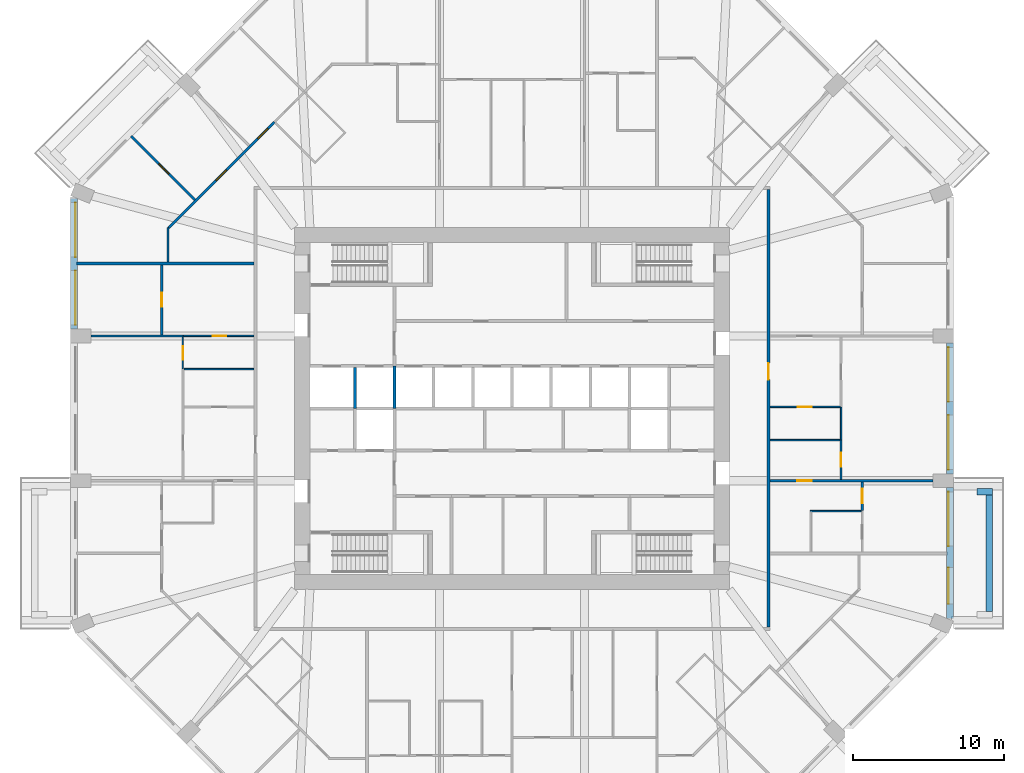
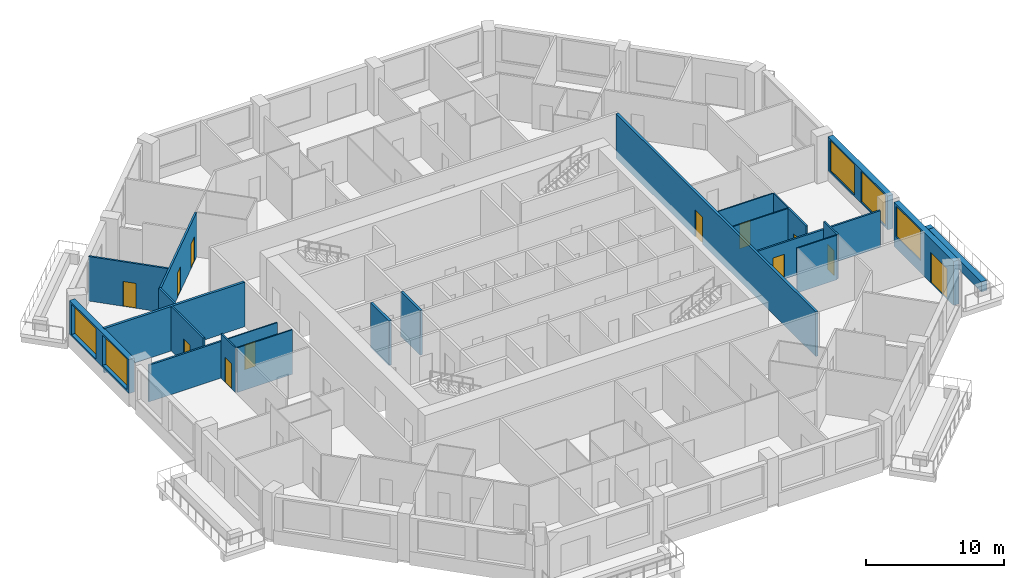
# One storey, part 7 of 13: 24 walls, 12 doors, 5 windows, 17 openings.
"""IFC4 building model written with IfcOpenShell, lengths in metres."""

from ifc_helpers import new_model, si_unit, direction, frame, frame_2d, origin, place, context, subcontext, project, spatial, rectangle, extrude, material, layer, layer_set, type_object, element, fill, save


model = new_model("IFC4")

# Units and contexts
model_context = context("Model", 3, precision=1e-05, world=origin(), true_north=direction((0.0, 1.0)))
body_context = subcontext(model_context, "Body", "Model", "MODEL_VIEW")
ifc_project = project(units=[si_unit("LENGTHUNIT", "METRE"), si_unit("AREAUNIT", "SQUARE_METRE"), si_unit("VOLUMEUNIT", "CUBIC_METRE"), si_unit("PLANEANGLEUNIT", "RADIAN"), si_unit("MASSUNIT", "GRAM", prefix="KILO")], contexts=[model_context])

# Site, building, storey
site_placement = place(None, origin())
site = spatial("IfcSite", under=ifc_project, at=site_placement, CompositionType="ELEMENT")
building_placement = place(site_placement, origin())
building = spatial("IfcBuilding", under=site, at=building_placement, Name="Msitu Wima Residences", CompositionType="ELEMENT")
storey_placement = place(building_placement, frame((0.0, 0.0, 50.699951171875)))
storey = spatial("IfcBuildingStorey", under=building, at=storey_placement, Name="L11", CompositionType="ELEMENT", Elevation=50.699951171875)

# Walls
ifc_material_1 = material(Name="Facing brick")
ifc_layer_1 = layer(ifc_material_1, 0.06494140625, Name="Facing brick")
ifc_material_2 = material(Name="Concrete C40/50", Category="concrete")
ifc_layer_2 = layer(ifc_material_2, 0.156005859375, Name="Concrete C40/50")
ifc_material_3 = material(Name="Waterproofing membrane")
ifc_layer_3 = layer(ifc_material_3, 0.00390625, Name="Waterproofing membrane")
ifc_material_4 = material(Name="Planting soil and planting")
ifc_layer_4 = layer(ifc_material_4, 0.22509765625, Name="Planting soil and planting")
ifc_layer_set_1 = layer_set([ifc_layer_1, ifc_layer_2, ifc_layer_3, ifc_layer_4], Name="Concrete C40/50")
wall_type_1 = type_object("IfcWallType", Name="Balcony planter PLANTER PL450", PredefinedType="USERDEFINED", material=ifc_layer_set_1)
wall_1_placement = place(storey_placement, frame((31.625, -13.449951171875, 0.0), z_axis=(0.0, 0.0, 1.0), x_axis=(0.0, 1.0, 0.0)))
element("IfcWall", 1, at=wall_1_placement, inside=storey, type_object=wall_type_1, Name="Balcony planter E0 L11", ObjectType="PLANTER", PredefinedType="USERDEFINED", context=body_context, shape_type="SweptSolid", body=[
    extrude(rectangle(XDim=7.699951171875, YDim=0.449951171875, at=frame_2d((3.85009765625, 0.0))), origin(), (0.0, 0.0, 1.0), 0.900146484375),
])
wall_2_placement = place(storey_placement, frame((30.800048828125, -5.52490234375, 0.0), z_axis=(0.0, 0.0, 1.0), x_axis=(1.0, 0.0, 0.0)))
element("IfcWall", 2, at=wall_2_placement, inside=storey, type_object=wall_type_1, Name="Balcony planter E0 L11", ObjectType="PLANTER", PredefinedType="USERDEFINED", context=body_context, shape_type="SweptSolid", body=[
    extrude(rectangle(XDim=1.050048828125, YDim=0.449951171875, at=frame_2d((0.52490234375, 0.0))), origin(), (0.0, 0.0, 1.0), 0.900146484375),
])

# Wall, openings, door, window
ifc_material_5 = material(Name="Brick (red buff mix)", Category="masonry")
ifc_layer_5 = layer(ifc_material_5, 0.449951171875)
ifc_layer_set_2 = layer_set([ifc_layer_5], Name="Brick (red buff mix)")
wall_type_2 = type_object("IfcWallType", Name="Brick infill wall BW450", PredefinedType="SOLIDWALL", material=ifc_layer_set_2)
wall_3_placement = place(storey_placement, frame((29.02490234375, -13.912841796875, 0.0), z_axis=(0.0, 0.0, 1.0), x_axis=(0.0, 1.0, 0.0)))
wall_3 = element("IfcWall", 3, at=wall_3_placement, inside=storey, type_object=wall_type_2, Name="Brick infill wall L11 E0", PredefinedType="SOLIDWALL", context=body_context, shape_type="SweptSolid", body=[
    extrude(rectangle(XDim=8.662841796875, YDim=0.449951171875, at=frame_2d((4.33154296875, 0.0))), origin(), (0.0, 0.0, 1.0), 3.900146484375),
])
opening_1_placement = place(wall_3_placement, frame((0.9658203125, 0.0, 0.0)))
opening_1 = element("IfcOpeningElement", 4, at=opening_1_placement, cuts=wall_3, Name="Opening D11-12.001", PredefinedType="OPENING", context=body_context, shape_type="SweptSolid", body=[
    extrude(rectangle(XDim=2.39990234375, YDim=2.699951171875, at=frame_2d((1.199951171875, 1.35009765625))), frame((0.0, 0.23486328125, 0.0), z_axis=(0.0, -1.0, 0.0), x_axis=(1.0, 0.0, 0.0)), (0.0, 0.0, 1.0), 0.469970703125),
])
opening_2_placement = place(wall_3_placement, frame((4.781494140625, 0.0, 1.050048828125)))
opening_2 = element("IfcOpeningElement", 5, at=opening_2_placement, cuts=wall_3, Name="Opening W11-12.001", PredefinedType="OPENING", context=body_context, shape_type="SweptSolid", body=[
    extrude(rectangle(XDim=3.60009765625, YDim=2.699951171875, at=frame_2d((1.800048828125, 1.35009765625))), frame((0.0, 0.23486328125, 0.0), z_axis=(0.0, -1.0, 0.0), x_axis=(1.0, 0.0, 0.0)), (0.0, 0.0, 1.0), 0.469970703125),
])
ifc_material_6 = material(Name="Anodised aluminium, bronze finish, clear low-emissivity double glazing", Category="aluminium")
door_type_1 = type_object("IfcDoorType", Name="Balcony door D2400x2700", OperationType="SLIDING_TO_LEFT", PredefinedType="DOOR", material=ifc_material_6)
door_1_placement = place(opening_1_placement, origin())
door_1 = element("IfcDoor", 6, at=door_1_placement, inside=storey, type_object=door_type_1, Name="Balcony door L11 E0", OperationType="SINGLE_SWING_LEFT", OverallHeight=2.699951171875, OverallWidth=2.39990234375, PredefinedType="DOOR", context=body_context, shape_type="SweptSolid", body=[
    extrude(rectangle(XDim=2.39990234375, YDim=2.699951171875, at=frame_2d((1.199951171875, 1.35009765625))), frame((0.0, 0.1298828125, 0.0), z_axis=(0.0, -1.0, 0.0), x_axis=(1.0, 0.0, 0.0)), (0.0, 0.0, 1.0), 0.050048828125),
])
fill(opening_1, door_1)
window_type = type_object("IfcWindowType", Name="Window W3600x2700", PartitioningType="DOUBLE_PANEL_VERTICAL", PredefinedType="WINDOW", material=ifc_material_6)
window_1_placement = place(opening_2_placement, origin())
window_1 = element("IfcWindow", 7, at=window_1_placement, inside=storey, type_object=window_type, Name="Window L11 E0.2", OverallHeight=2.699951171875, OverallWidth=3.60009765625, PartitioningType="SINGLE_PANEL", PredefinedType="WINDOW", context=body_context, shape_type="SweptSolid", body=[
    extrude(rectangle(XDim=3.60009765625, YDim=2.699951171875, at=frame_2d((1.800048828125, 1.35009765625))), frame((0.0, 0.135009765625, 0.0), z_axis=(0.0, -1.0, 0.0), x_axis=(1.0, 0.0, 0.0)), (0.0, 0.0, 1.0), 0.06005859375),
])
fill(opening_2, window_1)

# Wall, openings, windows
wall_4_placement = place(storey_placement, frame((29.02490234375, -4.35009765625, 0.900146484375), z_axis=(0.0, 0.0, 1.0), x_axis=(0.0, 1.0, 0.0)))
wall_4 = element("IfcWall", 8, at=wall_4_placement, inside=storey, type_object=wall_type_2, Name="Brick infill wall L11 E1", PredefinedType="SOLIDWALL", context=body_context, shape_type="SweptSolid", body=[
    extrude(rectangle(XDim=8.7001953125, YDim=0.449951171875, at=frame_2d((4.35009765625, 0.0))), origin(), (0.0, 0.0, 1.0), 3.0),
])
opening_3_placement = place(wall_4_placement, frame((0.300048828125, 0.0, 0.14990234375)))
opening_3 = element("IfcOpeningElement", 9, at=opening_3_placement, cuts=wall_4, Name="Opening W11-12.002", PredefinedType="OPENING", context=body_context, shape_type="SweptSolid", body=[
    extrude(rectangle(XDim=3.60009765625, YDim=2.699951171875, at=frame_2d((1.800048828125, 1.35009765625))), frame((0.0, 0.23486328125, 0.0), z_axis=(0.0, -1.0, 0.0), x_axis=(1.0, 0.0, 0.0)), (0.0, 0.0, 1.0), 0.469970703125),
])
opening_4_placement = place(wall_4_placement, frame((4.800048828125, 0.0, 0.14990234375)))
opening_4 = element("IfcOpeningElement", 10, at=opening_4_placement, cuts=wall_4, Name="Opening W11-12.003", PredefinedType="OPENING", context=body_context, shape_type="SweptSolid", body=[
    extrude(rectangle(XDim=3.60009765625, YDim=2.699951171875, at=frame_2d((1.800048828125, 1.35009765625))), frame((0.0, 0.23486328125, 0.0), z_axis=(0.0, -1.0, 0.0), x_axis=(1.0, 0.0, 0.0)), (0.0, 0.0, 1.0), 0.469970703125),
])
window_2_placement = place(opening_3_placement, origin())
window_2 = element("IfcWindow", 11, at=window_2_placement, inside=storey, type_object=window_type, Name="Window L11 E1.1", OverallHeight=2.699951171875, OverallWidth=3.60009765625, PartitioningType="SINGLE_PANEL", PredefinedType="WINDOW", context=body_context, shape_type="SweptSolid", body=[
    extrude(rectangle(XDim=3.60009765625, YDim=2.699951171875, at=frame_2d((1.800048828125, 1.35009765625))), frame((0.0, 0.135009765625, 0.0), z_axis=(0.0, -1.0, 0.0), x_axis=(1.0, 0.0, 0.0)), (0.0, 0.0, 1.0), 0.06005859375),
])
fill(opening_3, window_2)
window_3_placement = place(opening_4_placement, origin())
window_3 = element("IfcWindow", 12, at=window_3_placement, inside=storey, type_object=window_type, Name="Window L11 E1.2", OverallHeight=2.699951171875, OverallWidth=3.60009765625, PartitioningType="SINGLE_PANEL", PredefinedType="WINDOW", context=body_context, shape_type="SweptSolid", body=[
    extrude(rectangle(XDim=3.60009765625, YDim=2.699951171875, at=frame_2d((1.800048828125, 1.35009765625))), frame((0.0, 0.135009765625, 0.0), z_axis=(0.0, -1.0, 0.0), x_axis=(1.0, 0.0, 0.0)), (0.0, 0.0, 1.0), 0.06005859375),
])
fill(opening_4, window_3)

wall_5_placement = place(storey_placement, frame((-29.02490234375, 13.912841796875, 0.900146484375), z_axis=(0.0, 0.0, 1.0), x_axis=(0.0, -1.0, 0.0)))
wall_5 = element("IfcWall", 13, at=wall_5_placement, inside=storey, type_object=wall_type_2, Name="Brick infill wall L11 W0", PredefinedType="SOLIDWALL", context=body_context, shape_type="SweptSolid", body=[
    extrude(rectangle(XDim=8.662841796875, YDim=0.449951171875, at=frame_2d((4.33154296875, 0.0))), origin(), (0.0, 0.0, 1.0), 3.0),
])
opening_5_placement = place(wall_5_placement, frame((0.281494140625, 0.0, 0.14990234375)))
opening_5 = element("IfcOpeningElement", 14, at=opening_5_placement, cuts=wall_5, Name="Opening W11-12.029", PredefinedType="OPENING", context=body_context, shape_type="SweptSolid", body=[
    extrude(rectangle(XDim=3.60009765625, YDim=2.699951171875, at=frame_2d((1.800048828125, 1.35009765625))), frame((0.0, 0.23486328125, 0.0), z_axis=(0.0, -1.0, 0.0), x_axis=(1.0, 0.0, 0.0)), (0.0, 0.0, 1.0), 0.469970703125),
])
opening_6_placement = place(wall_5_placement, frame((4.781494140625, 0.0, 0.14990234375)))
opening_6 = element("IfcOpeningElement", 15, at=opening_6_placement, cuts=wall_5, Name="Opening W11-12.030", PredefinedType="OPENING", context=body_context, shape_type="SweptSolid", body=[
    extrude(rectangle(XDim=3.60009765625, YDim=2.699951171875, at=frame_2d((1.800048828125, 1.35009765625))), frame((0.0, 0.23486328125, 0.0), z_axis=(0.0, -1.0, 0.0), x_axis=(1.0, 0.0, 0.0)), (0.0, 0.0, 1.0), 0.469970703125),
])
window_4_placement = place(opening_5_placement, origin())
window_4 = element("IfcWindow", 16, at=window_4_placement, inside=storey, type_object=window_type, Name="Window L11 W0.1", OverallHeight=2.699951171875, OverallWidth=3.60009765625, PartitioningType="SINGLE_PANEL", PredefinedType="WINDOW", context=body_context, shape_type="SweptSolid", body=[
    extrude(rectangle(XDim=3.60009765625, YDim=2.699951171875, at=frame_2d((1.800048828125, 1.35009765625))), frame((0.0, 0.135009765625, 0.0), z_axis=(0.0, -1.0, 0.0), x_axis=(1.0, 0.0, 0.0)), (0.0, 0.0, 1.0), 0.06005859375),
])
fill(opening_5, window_4)
window_5_placement = place(opening_6_placement, origin())
window_5 = element("IfcWindow", 17, at=window_5_placement, inside=storey, type_object=window_type, Name="Window L11 W0.2", OverallHeight=2.699951171875, OverallWidth=3.60009765625, PartitioningType="SINGLE_PANEL", PredefinedType="WINDOW", context=body_context, shape_type="SweptSolid", body=[
    extrude(rectangle(XDim=3.60009765625, YDim=2.699951171875, at=frame_2d((1.800048828125, 1.35009765625))), frame((0.0, 0.135009765625, 0.0), z_axis=(0.0, -1.0, 0.0), x_axis=(1.0, 0.0, 0.0)), (0.0, 0.0, 1.0), 0.06005859375),
])
fill(opening_6, window_5)

# Wall, opening, door
ifc_material_7 = material(Name="Plaster")
ifc_layer_6 = layer(ifc_material_7, 0.011962890625, Name="Plaster")
ifc_material_8 = material(Name="Concrete blockwork", Category="masonry")
ifc_layer_7 = layer(ifc_material_8, 0.176025390625, Name="Concrete blockwork")
ifc_layer_8 = layer(ifc_material_7, 0.011962890625, Name="Plaster")
ifc_layer_set_3 = layer_set([ifc_layer_6, ifc_layer_7, ifc_layer_8], Name="Concrete blockwork")
wall_type_3 = type_object("IfcWallType", Name="Corridor wall FW200", PredefinedType="PARTITIONING", material=ifc_layer_set_3)
wall_6_placement = place(storey_placement, frame((17.0, -14.5, 0.0), z_axis=(0.0, 0.0, 1.0), x_axis=(0.0, 1.0, 0.0)))
wall_6 = element("IfcWall", 18, at=wall_6_placement, inside=storey, type_object=wall_type_3, Name="Corridor wall", PredefinedType="PARTITIONING", context=body_context, shape_type="SweptSolid", body=[
    extrude(rectangle(XDim=29.0, YDim=0.199951171875, at=frame_2d((14.5, 0.0))), origin(), (0.0, 0.0, 1.0), 3.949951171875),
])
opening_7_placement = place(wall_6_placement, frame((16.39990234375, 0.0, 0.0)))
opening_7 = element("IfcOpeningElement", 19, at=opening_7_placement, cuts=wall_6, Name="Opening D11-12.008", PredefinedType="OPENING", context=body_context, shape_type="SweptSolid", body=[
    extrude(rectangle(XDim=1.10009765625, YDim=2.39990234375, at=frame_2d((0.550048828125, 1.199951171875))), frame((0.0, 0.10986328125, 0.0), z_axis=(0.0, -1.0, 0.0), x_axis=(1.0, 0.0, 0.0)), (0.0, 0.0, 1.0), 0.219970703125),
])
ifc_material_9 = material(Name="Timber flush door, fire resisting, self-closing", Category="wood")
door_type_2 = type_object("IfcDoorType", Name="Flat entrance door D01 1100x2400", OperationType="SINGLE_SWING_LEFT", PredefinedType="DOOR", material=ifc_material_9)
door_2_placement = place(opening_7_placement, origin())
door_2 = element("IfcDoor", 20, at=door_2_placement, inside=storey, type_object=door_type_2, Name="Flat entrance door", OperationType="SINGLE_SWING_LEFT", OverallHeight=2.39990234375, OverallWidth=1.10009765625, PredefinedType="DOOR", context=body_context, shape_type="SweptSolid", body=[
    extrude(rectangle(XDim=1.10009765625, YDim=2.39990234375, at=frame_2d((0.550048828125, 1.199951171875))), frame((0.0, 0.02490234375, 0.0), z_axis=(0.0, -1.0, 0.0), x_axis=(1.0, 0.0, 0.0)), (0.0, 0.0, 1.0), 0.050048828125),
])
fill(opening_7, door_2)

# Wall
ifc_layer_9 = layer(ifc_material_7, 0.011962890625, Name="Plaster")
ifc_layer_10 = layer(ifc_material_8, 0.1259765625, Name="Concrete blockwork")
ifc_layer_11 = layer(ifc_material_7, 0.011962890625, Name="Plaster")
ifc_layer_set_4 = layer_set([ifc_layer_9, ifc_layer_10, ifc_layer_11], Name="Concrete blockwork")
wall_type_4 = type_object("IfcWallType", Name="Partition PW150", PredefinedType="PARTITIONING", material=ifc_layer_set_4)
wall_7_placement = place(storey_placement, frame((-27.89990234375, 4.800048828125, 0.0), z_axis=(0.0, 0.0, 1.0), x_axis=(1.0, 0.0, 0.0)))
element("IfcWall", 21, at=wall_7_placement, inside=storey, type_object=wall_type_4, Name="Partition", PredefinedType="PARTITIONING", context=body_context, shape_type="SweptSolid", body=[
    extrude(rectangle(XDim=6.119873046875, YDim=0.14990234375, at=frame_2d((3.06005859375, 0.0))), origin(), (0.0, 0.0, 1.0), 3.25),
])

# Wall, opening, door
wall_8_placement = place(storey_placement, frame((-25.23876953125, 18.038818359375, 0.0), z_axis=(0.0, 0.0, 1.0), x_axis=(0.707086367289, -0.707127194494, 0.0)))
wall_8 = element("IfcWall", 22, at=wall_8_placement, inside=storey, type_object=wall_type_4, Name="Partition", PredefinedType="PARTITIONING", context=body_context, shape_type="SweptSolid", body=[
    extrude(rectangle(XDim=5.979736328125, YDim=0.14990234375, at=frame_2d((2.98974609375, 0.0))), origin(), (0.0, 0.0, 1.0), 3.949951171875),
])
opening_8_placement = place(wall_8_placement, frame((2.60009765625, 0.0, 0.0)))
opening_8 = element("IfcOpeningElement", 23, at=opening_8_placement, cuts=wall_8, Name="Opening D11-12.055", PredefinedType="OPENING", context=body_context, shape_type="SweptSolid", body=[
    extrude(rectangle(XDim=0.949951171875, YDim=2.199951171875, at=frame_2d((0.47509765625, 1.10009765625))), frame((0.0, 0.0849609375, 0.0), z_axis=(0.0, -1.0, 0.0), x_axis=(1.0, 0.0, 0.0)), (0.0, 0.0, 1.0), 0.169921875),
])
ifc_material_10 = material(Name="Timber flush door", Category="wood")
door_type_3 = type_object("IfcDoorType", Name="Room door D12 950x2200", OperationType="SINGLE_SWING_LEFT", PredefinedType="DOOR", material=ifc_material_10)
door_3_placement = place(opening_8_placement, origin())
door_3 = element("IfcDoor", 24, at=door_3_placement, inside=storey, type_object=door_type_3, Name="Room door", OperationType="SINGLE_SWING_LEFT", OverallHeight=2.199951171875, OverallWidth=0.949951171875, PredefinedType="DOOR", context=body_context, shape_type="SweptSolid", body=[
    extrude(rectangle(XDim=0.949951171875, YDim=2.199951171875, at=frame_2d((0.47509765625, 1.10009765625))), frame((0.0, 0.02490234375, 0.0), z_axis=(0.0, -1.0, 0.0), x_axis=(1.0, 0.0, 0.0)), (0.0, 0.0, 1.0), 0.050048828125),
])
fill(opening_8, door_3)

wall_9_placement = place(storey_placement, frame((-23.199951171875, 4.875, 0.0), z_axis=(0.0, 0.0, 1.0), x_axis=(0.0, 1.0, 0.0)))
wall_9 = element("IfcWall", 25, at=wall_9_placement, inside=storey, type_object=wall_type_4, Name="Partition", PredefinedType="PARTITIONING", context=body_context, shape_type="SweptSolid", body=[
    extrude(rectangle(XDim=4.625, YDim=0.14990234375, at=frame_2d((2.3125, 0.0))), origin(), (0.0, 0.0, 1.0), 3.949951171875),
])
opening_9_placement = place(wall_9_placement, frame((1.85009765625, 0.0, 0.0)))
opening_9 = element("IfcOpeningElement", 26, at=opening_9_placement, cuts=wall_9, Name="Opening D11-12.071", PredefinedType="OPENING", context=body_context, shape_type="SweptSolid", body=[
    extrude(rectangle(XDim=0.949951171875, YDim=2.199951171875, at=frame_2d((0.47509765625, 1.10009765625))), frame((0.0, 0.0849609375, 0.0), z_axis=(0.0, -1.0, 0.0), x_axis=(1.0, 0.0, 0.0)), (0.0, 0.0, 1.0), 0.169921875),
])
door_4_placement = place(opening_9_placement, origin())
door_4 = element("IfcDoor", 27, at=door_4_placement, inside=storey, type_object=door_type_3, Name="Room door", OperationType="SINGLE_SWING_RIGHT", OverallHeight=2.199951171875, OverallWidth=0.949951171875, PredefinedType="DOOR", context=body_context, shape_type="SweptSolid", body=[
    extrude(rectangle(XDim=0.949951171875, YDim=2.199951171875, at=frame_2d((0.47509765625, 1.10009765625))), frame((0.0, 0.02490234375, 0.0), z_axis=(0.0, -1.0, 0.0), x_axis=(1.0, 0.0, 0.0)), (0.0, 0.0, 1.0), 0.050048828125),
])
fill(opening_9, door_4)

# Wall
wall_10_placement = place(storey_placement, frame((-22.800048828125, 9.699951171875, 0.0), z_axis=(0.0, 0.0, 1.0), x_axis=(0.0, 1.0, 0.0)))
element("IfcWall", 28, at=wall_10_placement, inside=storey, type_object=wall_type_4, Name="Partition", PredefinedType="PARTITIONING", context=body_context, shape_type="SweptSolid", body=[
    extrude(rectangle(XDim=2.289794921875, YDim=0.14990234375, at=frame_2d((1.14501953125, 0.0))), origin(), (0.0, 0.0, 1.0), 3.949951171875),
])

# Wall, openings, doors
wall_11_placement = place(storey_placement, frame((-22.7470703125, 11.9677734375, 0.0), z_axis=(0.0, 0.0, 1.0), x_axis=(0.707106781187, 0.707106781187, 0.0)))
wall_11 = element("IfcWall", 29, at=wall_11_placement, inside=storey, type_object=wall_type_4, Name="Partition", PredefinedType="PARTITIONING", context=body_context, shape_type="SweptSolid", body=[
    extrude(rectangle(XDim=9.913330078125, YDim=0.14990234375, at=frame_2d((4.95654296875, 0.0))), origin(), (0.0, 0.0, 1.0), 3.949951171875),
])
opening_10_placement = place(wall_11_placement, frame((4.449951171875, 0.0, 0.0)))
opening_10 = element("IfcOpeningElement", 30, at=opening_10_placement, cuts=wall_11, Name="Opening D11-12.050", PredefinedType="OPENING", context=body_context, shape_type="SweptSolid", body=[
    extrude(rectangle(XDim=0.949951171875, YDim=2.199951171875, at=frame_2d((0.47509765625, 1.10009765625))), frame((0.0, 0.0849609375, 0.0), z_axis=(0.0, -1.0, 0.0), x_axis=(1.0, 0.0, 0.0)), (0.0, 0.0, 1.0), 0.169921875),
])
opening_11_placement = place(wall_11_placement, frame((8.35009765625, 0.0, 0.0)))
opening_11 = element("IfcOpeningElement", 31, at=opening_11_placement, cuts=wall_11, Name="Opening D11-12.051", PredefinedType="OPENING", context=body_context, shape_type="SweptSolid", body=[
    extrude(rectangle(XDim=0.949951171875, YDim=2.199951171875, at=frame_2d((0.47509765625, 1.10009765625))), frame((0.0, 0.0849609375, 0.0), z_axis=(0.0, -1.0, 0.0), x_axis=(1.0, 0.0, 0.0)), (0.0, 0.0, 1.0), 0.169921875),
])
door_5_placement = place(opening_10_placement, origin())
door_5 = element("IfcDoor", 32, at=door_5_placement, inside=storey, type_object=door_type_3, Name="Room door", OperationType="SINGLE_SWING_LEFT", OverallHeight=2.199951171875, OverallWidth=0.949951171875, PredefinedType="DOOR", context=body_context, shape_type="SweptSolid", body=[
    extrude(rectangle(XDim=0.949951171875, YDim=2.199951171875, at=frame_2d((0.47509765625, 1.10009765625))), frame((0.0, 0.02490234375, 0.0), z_axis=(0.0, -1.0, 0.0), x_axis=(1.0, 0.0, 0.0)), (0.0, 0.0, 1.0), 0.050048828125),
])
fill(opening_10, door_5)
door_6_placement = place(opening_11_placement, origin())
door_6 = element("IfcDoor", 33, at=door_6_placement, inside=storey, type_object=door_type_3, Name="Room door", OperationType="SINGLE_SWING_LEFT", OverallHeight=2.199951171875, OverallWidth=0.949951171875, PredefinedType="DOOR", context=body_context, shape_type="SweptSolid", body=[
    extrude(rectangle(XDim=0.949951171875, YDim=2.199951171875, at=frame_2d((0.47509765625, 1.10009765625))), frame((0.0, 0.02490234375, 0.0), z_axis=(0.0, -1.0, 0.0), x_axis=(1.0, 0.0, 0.0)), (0.0, 0.0, 1.0), 0.050048828125),
])
fill(opening_11, door_6)

# Wall, opening, door
wall_12_placement = place(storey_placement, frame((17.10009765625, -4.800048828125, 0.0), z_axis=(0.0, 0.0, 1.0), x_axis=(1.0, 0.0, 0.0)))
wall_12 = element("IfcWall", 34, at=wall_12_placement, inside=storey, type_object=wall_type_4, Name="Partition", PredefinedType="PARTITIONING", context=body_context, shape_type="SweptSolid", body=[
    extrude(rectangle(XDim=10.7998046875, YDim=0.14990234375, at=frame_2d((5.39990234375, 0.0))), origin(), (0.0, 0.0, 1.0), 3.25),
])
opening_12_placement = place(wall_12_placement, frame((1.800048828125, 0.0, 0.0)))
opening_12 = element("IfcOpeningElement", 35, at=opening_12_placement, cuts=wall_12, Name="Opening D11-12.039", PredefinedType="OPENING", context=body_context, shape_type="SweptSolid", body=[
    extrude(rectangle(XDim=0.949951171875, YDim=2.199951171875, at=frame_2d((0.47509765625, 1.10009765625))), frame((0.0, 0.0849609375, 0.0), z_axis=(0.0, -1.0, 0.0), x_axis=(1.0, 0.0, 0.0)), (0.0, 0.0, 1.0), 0.169921875),
])
door_7_placement = place(opening_12_placement, origin())
door_7 = element("IfcDoor", 36, at=door_7_placement, inside=storey, type_object=door_type_3, Name="Room door", OperationType="SINGLE_SWING_LEFT", OverallHeight=2.199951171875, OverallWidth=0.949951171875, PredefinedType="DOOR", context=body_context, shape_type="SweptSolid", body=[
    extrude(rectangle(XDim=0.949951171875, YDim=2.199951171875, at=frame_2d((0.47509765625, 1.10009765625))), frame((0.0, 0.02490234375, 0.0), z_axis=(0.0, -1.0, 0.0), x_axis=(1.0, 0.0, 0.0)), (0.0, 0.0, 1.0), 0.050048828125),
])
fill(opening_12, door_7)

wall_13_placement = place(storey_placement, frame((21.800048828125, -4.72509765625, 0.0), z_axis=(0.0, 0.0, 1.0), x_axis=(0.0, 1.0, 0.0)))
wall_13 = element("IfcWall", 37, at=wall_13_placement, inside=storey, type_object=wall_type_4, Name="Partition", PredefinedType="PARTITIONING", context=body_context, shape_type="SweptSolid", body=[
    extrude(rectangle(XDim=2.64501953125, YDim=0.14990234375, at=frame_2d((1.322509765625, 0.0))), origin(), (0.0, 0.0, 1.0), 3.949951171875),
])
opening_13_placement = place(wall_13_placement, frame((0.85009765625, 0.0, 0.0)))
opening_13 = element("IfcOpeningElement", 38, at=opening_13_placement, cuts=wall_13, Name="Opening D11-12.038", PredefinedType="OPENING", context=body_context, shape_type="SweptSolid", body=[
    extrude(rectangle(XDim=0.949951171875, YDim=2.199951171875, at=frame_2d((0.47509765625, 1.10009765625))), frame((0.0, 0.0849609375, 0.0), z_axis=(0.0, -1.0, 0.0), x_axis=(1.0, 0.0, 0.0)), (0.0, 0.0, 1.0), 0.169921875),
])
door_8_placement = place(opening_13_placement, origin())
door_8 = element("IfcDoor", 39, at=door_8_placement, inside=storey, type_object=door_type_3, Name="Room door", OperationType="SINGLE_SWING_RIGHT", OverallHeight=2.199951171875, OverallWidth=0.949951171875, PredefinedType="DOOR", context=body_context, shape_type="SweptSolid", body=[
    extrude(rectangle(XDim=0.949951171875, YDim=2.199951171875, at=frame_2d((0.47509765625, 1.10009765625))), frame((0.0, 0.02490234375, 0.0), z_axis=(0.0, -1.0, 0.0), x_axis=(1.0, 0.0, 0.0)), (0.0, 0.0, 1.0), 0.050048828125),
])
fill(opening_13, door_8)

wall_14_placement = place(storey_placement, frame((23.199951171875, -6.780029296875, 0.0), z_axis=(0.0, 0.0, 1.0), x_axis=(0.0, 1.0, 0.0)))
wall_14 = element("IfcWall", 40, at=wall_14_placement, inside=storey, type_object=wall_type_4, Name="Partition", PredefinedType="PARTITIONING", context=body_context, shape_type="SweptSolid", body=[
    extrude(rectangle(XDim=1.905029296875, YDim=0.14990234375, at=frame_2d((0.95263671875, 0.0))), origin(), (0.0, 0.0, 1.0), 3.949951171875),
])
opening_14_placement = place(wall_14_placement, frame((0.5, 0.0, 0.0)))
opening_14 = element("IfcOpeningElement", 41, at=opening_14_placement, cuts=wall_14, Name="Opening D11-12.040", PredefinedType="OPENING", context=body_context, shape_type="SweptSolid", body=[
    extrude(rectangle(XDim=0.949951171875, YDim=2.199951171875, at=frame_2d((0.47509765625, 1.10009765625))), frame((0.0, 0.0849609375, 0.0), z_axis=(0.0, -1.0, 0.0), x_axis=(1.0, 0.0, 0.0)), (0.0, 0.0, 1.0), 0.169921875),
])
door_9_placement = place(opening_14_placement, origin())
door_9 = element("IfcDoor", 42, at=door_9_placement, inside=storey, type_object=door_type_3, Name="Room door", OperationType="SINGLE_SWING_LEFT", OverallHeight=2.199951171875, OverallWidth=0.949951171875, PredefinedType="DOOR", context=body_context, shape_type="SweptSolid", body=[
    extrude(rectangle(XDim=0.949951171875, YDim=2.199951171875, at=frame_2d((0.47509765625, 1.10009765625))), frame((0.0, 0.02490234375, 0.0), z_axis=(0.0, -1.0, 0.0), x_axis=(1.0, 0.0, 0.0)), (0.0, 0.0, 1.0), 0.050048828125),
])
fill(opening_14, door_9)

# Walls
ifc_layer_12 = layer(ifc_material_7, 0.011962890625, Name="Plaster")
ifc_material_11 = material(Name="Dense concrete blockwork", Category="masonry")
ifc_layer_13 = layer(ifc_material_11, 0.176025390625, Name="Dense concrete blockwork")
ifc_layer_14 = layer(ifc_material_7, 0.011962890625, Name="Plaster")
ifc_layer_set_5 = layer_set([ifc_layer_12, ifc_layer_13, ifc_layer_14], Name="Dense concrete blockwork")
wall_type_5 = type_object("IfcWallType", Name="Party wall PW200", PredefinedType="PARTITIONING", material=ifc_layer_set_5)
wall_15_placement = place(storey_placement, frame((-28.85498046875, 9.60009765625, 0.0), z_axis=(0.0, 0.0, 1.0), x_axis=(1.0, 0.0, 0.0)))
element("IfcWall", 43, at=wall_15_placement, inside=storey, type_object=wall_type_5, Name="Party wall", PredefinedType="PARTITIONING", context=body_context, shape_type="SweptSolid", body=[
    extrude(rectangle(XDim=11.7548828125, YDim=0.199951171875, at=frame_2d((5.87744140625, 0.0))), origin(), (0.0, 0.0, 1.0), 3.949951171875),
])
ifc_material_12 = material(Name="Fire-rated board")
ifc_layer_15 = layer(ifc_material_12, 0.02490234375, Name="Fire-rated board")
ifc_material_13 = material(Name="Light-gauge stud framing with mineral wool")
ifc_layer_16 = layer(ifc_material_13, 0.14990234375, Name="Light-gauge stud framing with mineral wool")
ifc_layer_17 = layer(ifc_material_12, 0.02490234375, Name="Fire-rated board")
ifc_layer_set_6 = layer_set([ifc_layer_15, ifc_layer_16, ifc_layer_17], Name="Light-gauge stud framing with mineral wool")
wall_type_6 = type_object("IfcWallType", Name="Shaft wall SH200", PredefinedType="PARTITIONING", material=ifc_layer_set_6)
wall_16_placement = place(storey_placement, frame((-10.39990234375, 0.0, 0.0), z_axis=(0.0, 0.0, 1.0), x_axis=(0.0, 1.0, 0.0)))
element("IfcWall", 44, at=wall_16_placement, inside=storey, type_object=wall_type_6, Name="Shaft wall", PredefinedType="PARTITIONING", context=body_context, shape_type="SweptSolid", body=[
    extrude(rectangle(XDim=2.699951171875, YDim=0.199951171875, at=frame_2d((1.35009765625, 0.0))), origin(), (0.0, 0.0, 1.0), 3.949951171875),
])
wall_17_placement = place(storey_placement, frame((-7.800048828125, 0.0, 0.0), z_axis=(0.0, 0.0, 1.0), x_axis=(0.0, 1.0, 0.0)))
element("IfcWall", 45, at=wall_17_placement, inside=storey, type_object=wall_type_6, Name="Shaft wall", PredefinedType="PARTITIONING", context=body_context, shape_type="SweptSolid", body=[
    extrude(rectangle(XDim=2.800048828125, YDim=0.199951171875, at=frame_2d((1.39990234375, 0.0))), origin(), (0.0, 0.0, 1.0), 3.949951171875),
])

# Wall, opening, door
ifc_material_14 = material(Name="Ceramic tiles")
ifc_layer_18 = layer(ifc_material_14, 0.008056640625, Name="Ceramic tiles")
ifc_material_15 = material(Name="Moisture-resistant board")
ifc_layer_19 = layer(ifc_material_15, 0.012451171875, Name="Moisture-resistant board")
ifc_layer_20 = layer(ifc_material_13, 0.06689453125, Name="Light-gauge stud framing with mineral wool")
ifc_layer_21 = layer(ifc_material_15, 0.012451171875, Name="Moisture-resistant board")
ifc_layer_set_7 = layer_set([ifc_layer_18, ifc_layer_19, ifc_layer_20, ifc_layer_21], Name="Light-gauge stud framing with mineral wool")
wall_type_7 = type_object("IfcWallType", Name="Wet wall PW100", PredefinedType="PARTITIONING", material=ifc_layer_set_7)
wall_18_placement = place(storey_placement, frame((-21.780029296875, 4.800048828125, 0.0), z_axis=(0.0, 0.0, 1.0), x_axis=(1.0, 0.0, 0.0)))
wall_18 = element("IfcWall", 46, at=wall_18_placement, inside=storey, type_object=wall_type_7, Name="Wet wall", PredefinedType="PARTITIONING", context=body_context, shape_type="SweptSolid", body=[
    extrude(rectangle(XDim=4.679931640625, YDim=0.10009765625, at=frame_2d((2.33984375, 0.0))), origin(), (0.0, 0.0, 1.0), 3.25),
])
opening_15_placement = place(wall_18_placement, frame((1.949951171875, 0.0, 0.0)))
opening_15 = element("IfcOpeningElement", 47, at=opening_15_placement, cuts=wall_18, Name="Opening D11-12.069", PredefinedType="OPENING", context=body_context, shape_type="SweptSolid", body=[
    extrude(rectangle(XDim=0.89990234375, YDim=2.199951171875, at=frame_2d((0.449951171875, 1.10009765625))), frame((0.0, 0.06005859375, 0.0), z_axis=(0.0, -1.0, 0.0), x_axis=(1.0, 0.0, 0.0)), (0.0, 0.0, 1.0), 0.1201171875),
])
ifc_material_16 = material(Name="Timber flush door, moisture resistant", Category="wood")
door_type_4 = type_object("IfcDoorType", Name="Bathroom door D03 900x2200", OperationType="SINGLE_SWING_LEFT", PredefinedType="DOOR", material=ifc_material_16)
door_10_placement = place(opening_15_placement, origin())
door_10 = element("IfcDoor", 48, at=door_10_placement, inside=storey, type_object=door_type_4, Name="Bathroom door", OperationType="SINGLE_SWING_LEFT", OverallHeight=2.199951171875, OverallWidth=0.89990234375, PredefinedType="DOOR", context=body_context, shape_type="SweptSolid", body=[
    extrude(rectangle(XDim=0.89990234375, YDim=2.199951171875, at=frame_2d((0.449951171875, 1.10009765625))), frame((0.0, 0.02490234375, 0.0), z_axis=(0.0, -1.0, 0.0), x_axis=(1.0, 0.0, 0.0)), (0.0, 0.0, 1.0), 0.050048828125),
])
fill(opening_15, door_10)

wall_19_placement = place(storey_placement, frame((-21.800048828125, 2.6201171875, 0.0), z_axis=(0.0, 0.0, 1.0), x_axis=(0.0, 1.0, 0.0)))
wall_19 = element("IfcWall", 49, at=wall_19_placement, inside=storey, type_object=wall_type_7, Name="Wet wall", PredefinedType="PARTITIONING", context=body_context, shape_type="SweptSolid", body=[
    extrude(rectangle(XDim=2.10498046875, YDim=0.10009765625, at=frame_2d((1.052490234375, 0.0))), origin(), (0.0, 0.0, 1.0), 3.949951171875),
])
opening_16_placement = place(wall_19_placement, frame((0.60009765625, 0.0, 0.0)))
opening_16 = element("IfcOpeningElement", 50, at=opening_16_placement, cuts=wall_19, Name="Opening D11-12.068", PredefinedType="OPENING", context=body_context, shape_type="SweptSolid", body=[
    extrude(rectangle(XDim=0.89990234375, YDim=2.199951171875, at=frame_2d((0.449951171875, 1.10009765625))), frame((0.0, 0.06005859375, 0.0), z_axis=(0.0, -1.0, 0.0), x_axis=(1.0, 0.0, 0.0)), (0.0, 0.0, 1.0), 0.1201171875),
])
door_11_placement = place(opening_16_placement, origin())
door_11 = element("IfcDoor", 51, at=door_11_placement, inside=storey, type_object=door_type_4, Name="Bathroom door", OperationType="SINGLE_SWING_RIGHT", OverallHeight=2.199951171875, OverallWidth=0.89990234375, PredefinedType="DOOR", context=body_context, shape_type="SweptSolid", body=[
    extrude(rectangle(XDim=0.89990234375, YDim=2.199951171875, at=frame_2d((0.449951171875, 1.10009765625))), frame((0.0, 0.02490234375, 0.0), z_axis=(0.0, -1.0, 0.0), x_axis=(1.0, 0.0, 0.0)), (0.0, 0.0, 1.0), 0.050048828125),
])
fill(opening_16, door_11)

# Walls
for number, where, z_axis, x_axis, name in (
    (52, (-21.72509765625, 2.60009765625, 0.0), (0.0, 0.0, 1.0), (1.0, 0.0, 0.0), "Wet wall"),
    (53, (17.10009765625, -2.10009765625, 0.0), (0.0, 0.0, 1.0), (1.0, 0.0, 0.0), "Wet wall"),
):
    element("IfcWall", number, at=place(storey_placement, frame(where, z_axis=z_axis, x_axis=x_axis)), inside=storey, type_object=wall_type_7, Name=name, PredefinedType="PARTITIONING", context=body_context, shape_type="SweptSolid", body=[
        extrude(rectangle(XDim=4.625, YDim=0.10009765625, at=frame_2d((2.3125, 0.0))), origin(), (0.0, 0.0, 1.0), 3.949951171875),
    ])

# Wall, opening, door
wall_20_placement = place(storey_placement, frame((17.10009765625, 0.10009765625, 0.0), z_axis=(0.0, 0.0, 1.0), x_axis=(1.0, 0.0, 0.0)))
wall_20 = element("IfcWall", 54, at=wall_20_placement, inside=storey, type_object=wall_type_7, Name="Wet wall", PredefinedType="PARTITIONING", context=body_context, shape_type="SweptSolid", body=[
    extrude(rectangle(XDim=4.64990234375, YDim=0.10009765625, at=frame_2d((2.324951171875, 0.0))), origin(), (0.0, 0.0, 1.0), 3.949951171875),
])
opening_17_placement = place(wall_20_placement, frame((1.85009765625, 0.0, 0.0)))
opening_17 = element("IfcOpeningElement", 55, at=opening_17_placement, cuts=wall_20, Name="Opening D11-12.048", PredefinedType="OPENING", context=body_context, shape_type="SweptSolid", body=[
    extrude(rectangle(XDim=0.89990234375, YDim=2.199951171875, at=frame_2d((0.449951171875, 1.10009765625))), frame((0.0, 0.06005859375, 0.0), z_axis=(0.0, -1.0, 0.0), x_axis=(1.0, 0.0, 0.0)), (0.0, 0.0, 1.0), 0.1201171875),
])
door_12_placement = place(opening_17_placement, origin())
door_12 = element("IfcDoor", 56, at=door_12_placement, inside=storey, type_object=door_type_4, Name="Bathroom door", OperationType="SINGLE_SWING_RIGHT", OverallHeight=2.199951171875, OverallWidth=0.89990234375, PredefinedType="DOOR", context=body_context, shape_type="SweptSolid", body=[
    extrude(rectangle(XDim=0.89990234375, YDim=2.199951171875, at=frame_2d((0.449951171875, 1.10009765625))), frame((0.0, 0.02490234375, 0.0), z_axis=(0.0, -1.0, 0.0), x_axis=(1.0, 0.0, 0.0)), (0.0, 0.0, 1.0), 0.050048828125),
])
fill(opening_17, door_12)

# Walls
wall_21_placement = place(storey_placement, frame((19.75, -6.800048828125, 0.0), z_axis=(0.0, 0.0, 1.0), x_axis=(1.0, 0.0, 0.0)))
element("IfcWall", 57, at=wall_21_placement, inside=storey, type_object=wall_type_7, Name="Wet wall", PredefinedType="PARTITIONING", context=body_context, shape_type="SweptSolid", body=[
    extrude(rectangle(XDim=3.375, YDim=0.10009765625, at=frame_2d((1.6875, 0.0))), origin(), (0.0, 0.0, 1.0), 3.949951171875),
])
wall_22_placement = place(storey_placement, frame((21.800048828125, -2.080078125, 0.0), z_axis=(0.0, 0.0, 1.0), x_axis=(0.0, 1.0, 0.0)))
element("IfcWall", 58, at=wall_22_placement, inside=storey, type_object=wall_type_7, Name="Wet wall", PredefinedType="PARTITIONING", context=body_context, shape_type="SweptSolid", body=[
    extrude(rectangle(XDim=2.16015625, YDim=0.10009765625, at=frame_2d((1.080078125, 0.0))), origin(), (0.0, 0.0, 1.0), 3.949951171875),
])

save(model, "model.ifc")
